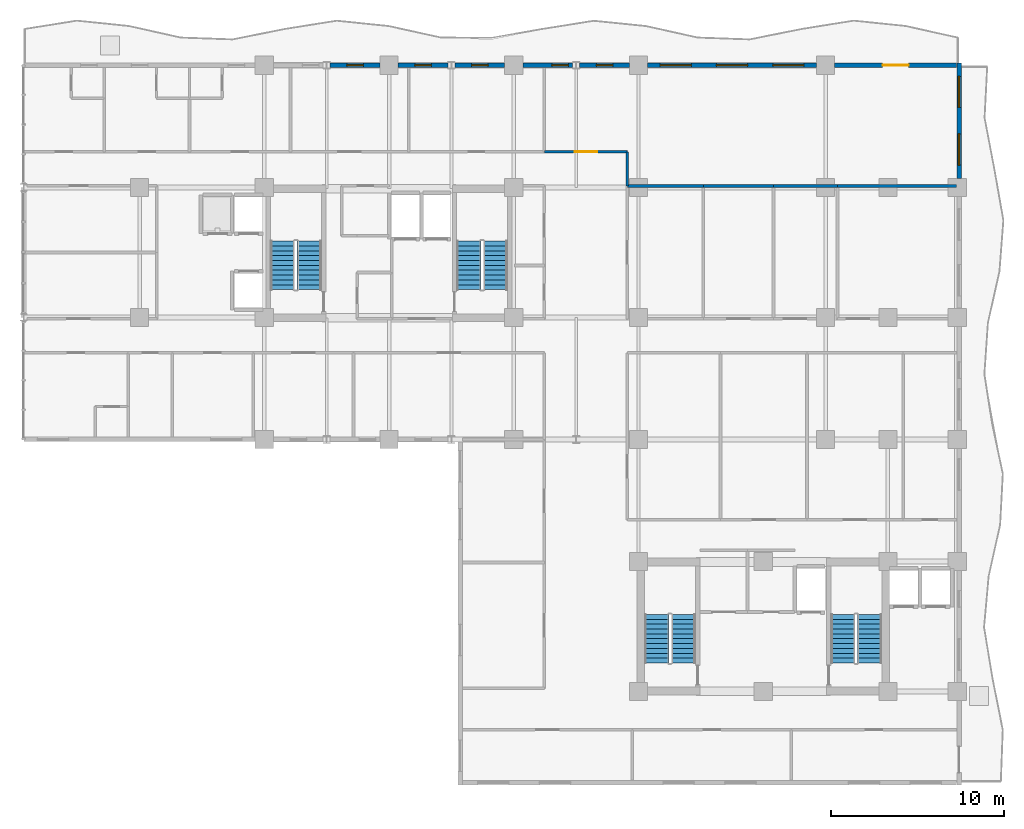
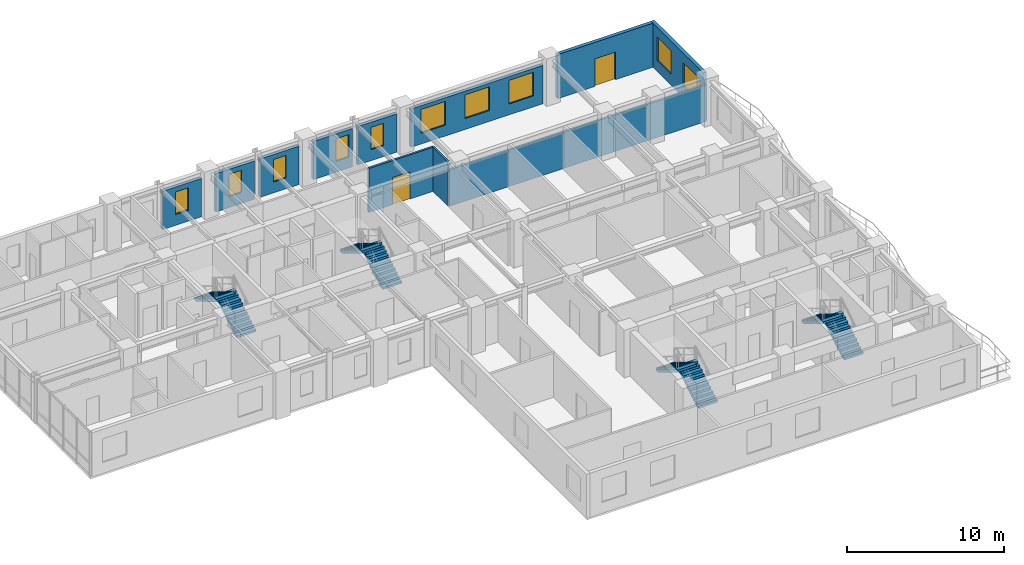
# One storey, part 15 of 20: 14 walls, 10 windows, 8 stair flights, 2 doors, 12 openings, 4 elements without a shape of their own.
"""IFC4 building model written with IfcOpenShell, lengths in metres."""

from ifc_helpers import new_model, si_unit, direction, frame, frame_2d, origin, place, context, subcontext, project, spatial, polyline, rectangle, outline, extrude, material, layer, layer_set, type_object, element, fill, aggregate, save


model = new_model("IFC4")

# Units and contexts
model_context = context("Model", 3, precision=1e-05, world=origin(), true_north=direction((0.0, 1.0)))
body_context = subcontext(model_context, "Body", "Model", "MODEL_VIEW")
ifc_project = project(units=[si_unit("LENGTHUNIT", "METRE"), si_unit("AREAUNIT", "SQUARE_METRE"), si_unit("VOLUMEUNIT", "CUBIC_METRE"), si_unit("PLANEANGLEUNIT", "RADIAN"), si_unit("MASSUNIT", "GRAM", prefix="KILO")], contexts=[model_context])

# Site, building, storey
site_placement = place(None, origin())
site = spatial("IfcSite", under=ifc_project, at=site_placement, CompositionType="ELEMENT")
building_placement = place(site_placement, origin())
building = spatial("IfcBuilding", under=site, at=building_placement, Name="Kaliganga Portal Commons", CompositionType="ELEMENT")
storey_placement = place(building_placement, frame((0.0, 0.0, 155.0)))
storey = spatial("IfcBuildingStorey", under=building, at=storey_placement, Name="L39", CompositionType="ELEMENT", Elevation=155.0)

# Wall, openings, windows
ifc_material_1 = material(Name="Insulated Aluminium-Clad Spandrel Assembly", Category="aluminium")
ifc_layer_1 = layer(ifc_material_1, 0.260009765625)
ifc_layer_set_1 = layer_set([ifc_layer_1], Name="Insulated Aluminium-Clad Spandrel Assembly")
wall_type_1 = type_object("IfcWallType", Name="WL-EXT-SPAND-260", PredefinedType="STANDARD", material=ifc_layer_set_1)
wall_1_placement = place(storey_placement, frame((54.5, 43.330078125, 0.0), z_axis=(0.0, 0.0, 1.0), x_axis=(0.0, -1.0, 0.0)))
wall_1 = element("IfcWall", 1, at=wall_1_placement, inside=storey, type_object=wall_type_1, Name="Exterior Envelope Wall L39 P1-E01-S6", PredefinedType="STANDARD", context=body_context, shape_type="SweptSolid", body=[
    extrude(rectangle(XDim=6.654052734375, YDim=0.260009765625, at=frame_2d((3.3271484375, 0.0))), origin(), (0.0, 0.0, 1.0), 3.43994140625),
])
opening_1_placement = place(wall_1_placement, frame((0.763427734375, 0.0, 0.85009765625)))
opening_1 = element("IfcOpeningElement", 2, at=opening_1_placement, cuts=wall_1, Name="Opening W-01", PredefinedType="OPENING", context=body_context, shape_type="SweptSolid", body=[
    extrude(rectangle(XDim=1.800048828125, YDim=1.85009765625, at=frame_2d((0.89990234375, 0.925048828125))), frame((0.0, 0.14013671875, 0.0), z_axis=(0.0, -1.0, 0.0), x_axis=(1.0, 0.0, 0.0)), (0.0, 0.0, 1.0), 0.280029296875),
])
opening_2_placement = place(wall_1_placement, frame((4.090576171875, 0.0, 0.85009765625)))
opening_2 = element("IfcOpeningElement", 3, at=opening_2_placement, cuts=wall_1, Name="Opening W-01", PredefinedType="OPENING", context=body_context, shape_type="SweptSolid", body=[
    extrude(rectangle(XDim=1.800048828125, YDim=1.85009765625, at=frame_2d((0.89990234375, 0.925048828125))), frame((0.0, 0.14013671875, 0.0), z_axis=(0.0, -1.0, 0.0), x_axis=(1.0, 0.0, 0.0)), (0.0, 0.0, 1.0), 0.280029296875),
])
ifc_material_2 = material(Name="Thermally Broken Aluminium and Low-E Double Glazing", Category="aluminium")
window_type_1 = type_object("IfcWindowType", Name="WIN-STD-1800", PartitioningType="DOUBLE_PANEL_VERTICAL", PredefinedType="WINDOW", material=ifc_material_2)
window_1_placement = place(opening_1_placement, origin())
window_1 = element("IfcWindow", 4, at=window_1_placement, inside=storey, type_object=window_type_1, Name="Facade Window L39-P1E01S6-00", OverallHeight=1.85009765625, OverallWidth=1.800048828125, PartitioningType="SINGLE_PANEL", PredefinedType="WINDOW", context=body_context, shape_type="SweptSolid", body=[
    extrude(rectangle(XDim=1.800048828125, YDim=1.85009765625, at=frame_2d((0.89990234375, 0.925048828125))), frame((0.0, 0.030029296875, 0.0), z_axis=(0.0, -1.0, 0.0), x_axis=(1.0, 0.0, 0.0)), (0.0, 0.0, 1.0), 0.06005859375),
])
fill(opening_1, window_1)
window_2_placement = place(opening_2_placement, origin())
window_2 = element("IfcWindow", 5, at=window_2_placement, inside=storey, type_object=window_type_1, Name="Facade Window L39-P1E01S6-01", OverallHeight=1.85009765625, OverallWidth=1.800048828125, PartitioningType="SINGLE_PANEL", PredefinedType="WINDOW", context=body_context, shape_type="SweptSolid", body=[
    extrude(rectangle(XDim=1.800048828125, YDim=1.85009765625, at=frame_2d((0.89990234375, 0.925048828125))), frame((0.0, 0.030029296875, 0.0), z_axis=(0.0, -1.0, 0.0), x_axis=(1.0, 0.0, 0.0)), (0.0, 0.0, 1.0), 0.06005859375),
])
fill(opening_2, window_2)

# Wall, opening, door
wall_2_placement = place(storey_placement, frame((47.325927734375, 43.199951171875, 0.0), z_axis=(0.0, 0.0, 1.0), x_axis=(1.0, 0.0, 0.0)))
wall_2 = element("IfcWall", 6, at=wall_2_placement, inside=storey, type_object=wall_type_1, Name="Exterior Envelope Wall L39 P1-E02-S1", PredefinedType="STANDARD", context=body_context, shape_type="SweptSolid", body=[
    extrude(rectangle(XDim=7.0390625, YDim=0.260009765625, at=frame_2d((3.51953125, 0.0))), origin(), (0.0, 0.0, 1.0), 3.43994140625),
])
opening_3_placement = place(wall_2_placement, frame((2.77001953125, 0.0, 0.0)))
opening_3 = element("IfcOpeningElement", 7, at=opening_3_placement, cuts=wall_2, Name="Opening BD-01", PredefinedType="OPENING", context=body_context, shape_type="SweptSolid", body=[
    extrude(rectangle(XDim=1.5, YDim=2.14990234375, at=frame_2d((0.75, 1.074951171875))), frame((0.0, 0.14013671875, 0.0), z_axis=(0.0, -1.0, 0.0), x_axis=(1.0, 0.0, 0.0)), (0.0, 0.0, 1.0), 0.280029296875),
])
ifc_material_3 = material(Name="Anodized Aluminium and Laminated Safety Glass", Category="aluminium")
door_type_1 = type_object("IfcDoorType", Name="DR-BALC-1500", OperationType="SLIDING_TO_LEFT", PredefinedType="DOOR", material=ifc_material_3)
door_1_placement = place(opening_3_placement, origin())
door_1 = element("IfcDoor", 8, at=door_1_placement, inside=storey, type_object=door_type_1, Name="Balcony Sliding Door L39 balc_north", OperationType="SLIDING_TO_LEFT", OverallHeight=2.14990234375, OverallWidth=1.5, PredefinedType="DOOR", context=body_context, shape_type="SweptSolid", body=[
    extrude(rectangle(XDim=1.5, YDim=2.14990234375, at=frame_2d((0.75, 1.074951171875))), frame((0.0, 0.02490234375, 0.0), z_axis=(0.0, -1.0, 0.0), x_axis=(1.0, 0.0, 0.0)), (0.0, 0.0, 1.0), 0.050048828125),
])
fill(opening_3, door_1)

# Wall, openings, windows
wall_3_placement = place(storey_placement, frame((36.52587890625, 43.199951171875, 0.0), z_axis=(0.0, 0.0, 1.0), x_axis=(1.0, 0.0, 0.0)))
wall_3 = element("IfcWall", 9, at=wall_3_placement, inside=storey, type_object=wall_type_1, Name="Exterior Envelope Wall L39 P1-E02-S2", PredefinedType="STANDARD", context=body_context, shape_type="SweptSolid", body=[
    extrude(rectangle(XDim=9.748046875, YDim=0.260009765625, at=frame_2d((4.8740234375, 0.0))), origin(), (0.0, 0.0, 1.0), 2.989990234375),
])
opening_4_placement = place(wall_3_placement, frame((0.724609375, 0.0, 0.85009765625)))
opening_4 = element("IfcOpeningElement", 10, at=opening_4_placement, cuts=wall_3, Name="Opening W-01", PredefinedType="OPENING", context=body_context, shape_type="SweptSolid", body=[
    extrude(rectangle(XDim=1.800048828125, YDim=1.85009765625, at=frame_2d((0.89990234375, 0.925048828125))), frame((0.0, 0.14013671875, 0.0), z_axis=(0.0, -1.0, 0.0), x_axis=(1.0, 0.0, 0.0)), (0.0, 0.0, 1.0), 0.280029296875),
])
opening_5_placement = place(wall_3_placement, frame((3.97412109375, 0.0, 0.85009765625)))
opening_5 = element("IfcOpeningElement", 11, at=opening_5_placement, cuts=wall_3, Name="Opening W-01", PredefinedType="OPENING", context=body_context, shape_type="SweptSolid", body=[
    extrude(rectangle(XDim=1.800048828125, YDim=1.85009765625, at=frame_2d((0.89990234375, 0.925048828125))), frame((0.0, 0.14013671875, 0.0), z_axis=(0.0, -1.0, 0.0), x_axis=(1.0, 0.0, 0.0)), (0.0, 0.0, 1.0), 0.280029296875),
])
opening_6_placement = place(wall_3_placement, frame((7.223388671875, 0.0, 0.85009765625)))
opening_6 = element("IfcOpeningElement", 12, at=opening_6_placement, cuts=wall_3, Name="Opening W-01", PredefinedType="OPENING", context=body_context, shape_type="SweptSolid", body=[
    extrude(rectangle(XDim=1.800048828125, YDim=1.85009765625, at=frame_2d((0.89990234375, 0.925048828125))), frame((0.0, 0.14013671875, 0.0), z_axis=(0.0, -1.0, 0.0), x_axis=(1.0, 0.0, 0.0)), (0.0, 0.0, 1.0), 0.280029296875),
])
window_3_placement = place(opening_4_placement, origin())
window_3 = element("IfcWindow", 13, at=window_3_placement, inside=storey, type_object=window_type_1, Name="Facade Window L39-P1E02S2-00", OverallHeight=1.85009765625, OverallWidth=1.800048828125, PartitioningType="SINGLE_PANEL", PredefinedType="WINDOW", context=body_context, shape_type="SweptSolid", body=[
    extrude(rectangle(XDim=1.800048828125, YDim=1.85009765625, at=frame_2d((0.89990234375, 0.925048828125))), frame((0.0, 0.030029296875, 0.0), z_axis=(0.0, -1.0, 0.0), x_axis=(1.0, 0.0, 0.0)), (0.0, 0.0, 1.0), 0.06005859375),
])
fill(opening_4, window_3)
window_4_placement = place(opening_5_placement, origin())
window_4 = element("IfcWindow", 14, at=window_4_placement, inside=storey, type_object=window_type_1, Name="Facade Window L39-P1E02S2-01", OverallHeight=1.85009765625, OverallWidth=1.800048828125, PartitioningType="SINGLE_PANEL", PredefinedType="WINDOW", context=body_context, shape_type="SweptSolid", body=[
    extrude(rectangle(XDim=1.800048828125, YDim=1.85009765625, at=frame_2d((0.89990234375, 0.925048828125))), frame((0.0, 0.030029296875, 0.0), z_axis=(0.0, -1.0, 0.0), x_axis=(1.0, 0.0, 0.0)), (0.0, 0.0, 1.0), 0.06005859375),
])
fill(opening_5, window_4)
window_5_placement = place(opening_6_placement, origin())
window_5 = element("IfcWindow", 15, at=window_5_placement, inside=storey, type_object=window_type_1, Name="Facade Window L39-P1E02S2-02", OverallHeight=1.85009765625, OverallWidth=1.800048828125, PartitioningType="SINGLE_PANEL", PredefinedType="WINDOW", context=body_context, shape_type="SweptSolid", body=[
    extrude(rectangle(XDim=1.800048828125, YDim=1.85009765625, at=frame_2d((0.89990234375, 0.925048828125))), frame((0.0, 0.030029296875, 0.0), z_axis=(0.0, -1.0, 0.0), x_axis=(1.0, 0.0, 0.0)), (0.0, 0.0, 1.0), 0.06005859375),
])
fill(opening_6, window_5)

# Wall, opening, window
wall_4_placement = place(storey_placement, frame((32.60302734375, 43.199951171875, 0.0), z_axis=(0.0, 0.0, 1.0), x_axis=(1.0, 0.0, 0.0)))
wall_4 = element("IfcWall", 16, at=wall_4_placement, inside=storey, type_object=wall_type_1, Name="Exterior Envelope Wall L39 P1-E02-S3", PredefinedType="STANDARD", context=body_context, shape_type="SweptSolid", body=[
    extrude(rectangle(XDim=2.87109375, YDim=0.260009765625, at=frame_2d((1.435546875, 0.0))), origin(), (0.0, 0.0, 1.0), 2.989990234375),
])
opening_7_placement = place(wall_4_placement, frame((0.96044921875, 0.0, 0.85009765625)))
opening_7 = element("IfcOpeningElement", 17, at=opening_7_placement, cuts=wall_4, Name="Opening W-04", PredefinedType="OPENING", context=body_context, shape_type="SweptSolid", body=[
    extrude(rectangle(XDim=0.949951171875, YDim=1.75, at=frame_2d((0.47509765625, 0.875))), frame((0.0, 0.14013671875, 0.0), z_axis=(0.0, -1.0, 0.0), x_axis=(1.0, 0.0, 0.0)), (0.0, 0.0, 1.0), 0.280029296875),
])
window_type_2 = type_object("IfcWindowType", Name="WIN-NARROW-950", PartitioningType="SINGLE_PANEL", PredefinedType="WINDOW", material=ifc_material_2)
window_6_placement = place(opening_7_placement, origin())
window_6 = element("IfcWindow", 18, at=window_6_placement, inside=storey, type_object=window_type_2, Name="Facade Window L39-P1E02S3-00", OverallHeight=1.75, OverallWidth=0.949951171875, PartitioningType="SINGLE_PANEL", PredefinedType="WINDOW", context=body_context, shape_type="SweptSolid", body=[
    extrude(rectangle(XDim=0.949951171875, YDim=1.75, at=frame_2d((0.47509765625, 0.875))), frame((0.0, 0.030029296875, 0.0), z_axis=(0.0, -1.0, 0.0), x_axis=(1.0, 0.0, 0.0)), (0.0, 0.0, 1.0), 0.06005859375),
])
fill(opening_7, window_6)

wall_5_placement = place(storey_placement, frame((29.325927734375, 43.199951171875, 0.0), z_axis=(0.0, 0.0, 1.0), x_axis=(1.0, 0.0, 0.0)))
wall_5 = element("IfcWall", 19, at=wall_5_placement, inside=storey, type_object=wall_type_1, Name="Exterior Envelope Wall L39 P1-E02-S4", PredefinedType="STANDARD", context=body_context, shape_type="SweptSolid", body=[
    extrude(rectangle(XDim=2.87109375, YDim=0.260009765625, at=frame_2d((1.435546875, 0.0))), origin(), (0.0, 0.0, 1.0), 2.989990234375),
])
opening_8_placement = place(wall_5_placement, frame((1.672607421875, 0.0, 0.85009765625)))
opening_8 = element("IfcOpeningElement", 20, at=opening_8_placement, cuts=wall_5, Name="Opening W-04", PredefinedType="OPENING", context=body_context, shape_type="SweptSolid", body=[
    extrude(rectangle(XDim=0.949951171875, YDim=1.75, at=frame_2d((0.47509765625, 0.875))), frame((0.0, 0.14013671875, 0.0), z_axis=(0.0, -1.0, 0.0), x_axis=(1.0, 0.0, 0.0)), (0.0, 0.0, 1.0), 0.280029296875),
])
window_7_placement = place(opening_8_placement, origin())
window_7 = element("IfcWindow", 21, at=window_7_placement, inside=storey, type_object=window_type_2, Name="Facade Window L39-P1E02S4-N2", OverallHeight=1.75, OverallWidth=0.949951171875, PartitioningType="SINGLE_PANEL", PredefinedType="WINDOW", context=body_context, shape_type="SweptSolid", body=[
    extrude(rectangle(XDim=0.949951171875, YDim=1.75, at=frame_2d((0.47509765625, 0.875))), frame((0.0, 0.030029296875, 0.0), z_axis=(0.0, -1.0, 0.0), x_axis=(1.0, 0.0, 0.0)), (0.0, 0.0, 1.0), 0.06005859375),
])
fill(opening_8, window_7)

wall_6_placement = place(storey_placement, frame((25.403076171875, 43.199951171875, 0.0), z_axis=(0.0, 0.0, 1.0), x_axis=(1.0, 0.0, 0.0)))
wall_6 = element("IfcWall", 22, at=wall_6_placement, inside=storey, type_object=wall_type_1, Name="Exterior Envelope Wall L39 P1-E02-S5", PredefinedType="STANDARD", context=body_context, shape_type="SweptSolid", body=[
    extrude(rectangle(XDim=2.870849609375, YDim=0.260009765625, at=frame_2d((1.435546875, 0.0))), origin(), (0.0, 0.0, 1.0), 2.989990234375),
])
opening_9_placement = place(wall_6_placement, frame((0.96044921875, 0.0, 0.85009765625)))
opening_9 = element("IfcOpeningElement", 23, at=opening_9_placement, cuts=wall_6, Name="Opening W-04", PredefinedType="OPENING", context=body_context, shape_type="SweptSolid", body=[
    extrude(rectangle(XDim=0.949951171875, YDim=1.75, at=frame_2d((0.47509765625, 0.875))), frame((0.0, 0.14013671875, 0.0), z_axis=(0.0, -1.0, 0.0), x_axis=(1.0, 0.0, 0.0)), (0.0, 0.0, 1.0), 0.280029296875),
])
window_8_placement = place(opening_9_placement, origin())
window_8 = element("IfcWindow", 24, at=window_8_placement, inside=storey, type_object=window_type_2, Name="Facade Window L39-P1E02S5-00", OverallHeight=1.75, OverallWidth=0.949951171875, PartitioningType="SINGLE_PANEL", PredefinedType="WINDOW", context=body_context, shape_type="SweptSolid", body=[
    extrude(rectangle(XDim=0.949951171875, YDim=1.75, at=frame_2d((0.47509765625, 0.875))), frame((0.0, 0.030029296875, 0.0), z_axis=(0.0, -1.0, 0.0), x_axis=(1.0, 0.0, 0.0)), (0.0, 0.0, 1.0), 0.06005859375),
])
fill(opening_9, window_8)

wall_7_placement = place(storey_placement, frame((22.1259765625, 43.199951171875, 0.0), z_axis=(0.0, 0.0, 1.0), x_axis=(1.0, 0.0, 0.0)))
wall_7 = element("IfcWall", 25, at=wall_7_placement, inside=storey, type_object=wall_type_1, Name="Exterior Envelope Wall L39 P1-E02-S6", PredefinedType="STANDARD", context=body_context, shape_type="SweptSolid", body=[
    extrude(rectangle(XDim=2.87109375, YDim=0.260009765625, at=frame_2d((1.435546875, 0.0))), origin(), (0.0, 0.0, 1.0), 2.989990234375),
])
opening_10_placement = place(wall_7_placement, frame((0.96044921875, 0.0, 0.85009765625)))
opening_10 = element("IfcOpeningElement", 26, at=opening_10_placement, cuts=wall_7, Name="Opening W-04", PredefinedType="OPENING", context=body_context, shape_type="SweptSolid", body=[
    extrude(rectangle(XDim=0.949951171875, YDim=1.75, at=frame_2d((0.47509765625, 0.875))), frame((0.0, 0.14013671875, 0.0), z_axis=(0.0, -1.0, 0.0), x_axis=(1.0, 0.0, 0.0)), (0.0, 0.0, 1.0), 0.280029296875),
])
window_9_placement = place(opening_10_placement, origin())
window_9 = element("IfcWindow", 27, at=window_9_placement, inside=storey, type_object=window_type_2, Name="Facade Window L39-P1E02S6-00", OverallHeight=1.75, OverallWidth=0.949951171875, PartitioningType="SINGLE_PANEL", PredefinedType="WINDOW", context=body_context, shape_type="SweptSolid", body=[
    extrude(rectangle(XDim=0.949951171875, YDim=1.75, at=frame_2d((0.47509765625, 0.875))), frame((0.0, 0.030029296875, 0.0), z_axis=(0.0, -1.0, 0.0), x_axis=(1.0, 0.0, 0.0)), (0.0, 0.0, 1.0), 0.06005859375),
])
fill(opening_10, window_9)

wall_8_placement = place(storey_placement, frame((18.202880859375, 43.199951171875, 0.0), z_axis=(0.0, 0.0, 1.0), x_axis=(1.0, 0.0, 0.0)))
wall_8 = element("IfcWall", 28, at=wall_8_placement, inside=storey, type_object=wall_type_1, Name="Exterior Envelope Wall L39 P1-E02-S7", PredefinedType="STANDARD", context=body_context, shape_type="SweptSolid", body=[
    extrude(rectangle(XDim=2.87109375, YDim=0.260009765625, at=frame_2d((1.435546875, 0.0))), origin(), (0.0, 0.0, 1.0), 2.989990234375),
])
opening_11_placement = place(wall_8_placement, frame((0.96044921875, 0.0, 0.85009765625)))
opening_11 = element("IfcOpeningElement", 29, at=opening_11_placement, cuts=wall_8, Name="Opening W-04", PredefinedType="OPENING", context=body_context, shape_type="SweptSolid", body=[
    extrude(rectangle(XDim=0.949951171875, YDim=1.75, at=frame_2d((0.47509765625, 0.875))), frame((0.0, 0.14013671875, 0.0), z_axis=(0.0, -1.0, 0.0), x_axis=(1.0, 0.0, 0.0)), (0.0, 0.0, 1.0), 0.280029296875),
])
window_10_placement = place(opening_11_placement, origin())
window_10 = element("IfcWindow", 30, at=window_10_placement, inside=storey, type_object=window_type_2, Name="Facade Window L39-P1E02S7-00", OverallHeight=1.75, OverallWidth=0.949951171875, PartitioningType="SINGLE_PANEL", PredefinedType="WINDOW", context=body_context, shape_type="SweptSolid", body=[
    extrude(rectangle(XDim=0.949951171875, YDim=1.75, at=frame_2d((0.47509765625, 0.875))), frame((0.0, 0.030029296875, 0.0), z_axis=(0.0, -1.0, 0.0), x_axis=(1.0, 0.0, 0.0)), (0.0, 0.0, 1.0), 0.06005859375),
])
fill(opening_11, window_10)

# Wall, opening, door
ifc_material_4 = material(Name="Fire-Rated Gypsum Board on Steel Stud", Category="steel")
ifc_layer_2 = layer(ifc_material_4, 0.14990234375)
ifc_layer_set_2 = layer_set([ifc_layer_2], Name="Fire-Rated Gypsum Board on Steel Stud")
wall_type_2 = type_object("IfcWallType", Name="WL-PART-CORR-150", PredefinedType="PARTITIONING", material=ifc_layer_set_2)
wall_9_placement = place(storey_placement, frame((30.56005859375, 38.199951171875, 0.0), z_axis=(0.0, 0.0, 1.0), x_axis=(1.0, 0.0, 0.0)))
wall_9 = element("IfcWall", 31, at=wall_9_placement, inside=storey, type_object=wall_type_2, Name="Interior Partition L39-040", PredefinedType="PARTITIONING", context=body_context, shape_type="SweptSolid", body=[
    extrude(rectangle(XDim=4.800048828125, YDim=0.14990234375, at=frame_2d((2.39990234375, 0.0))), origin(), (0.0, 0.0, 1.0), 3.43994140625),
])
opening_12_placement = place(wall_9_placement, frame((1.75, 0.0, 0.0)))
opening_12 = element("IfcOpeningElement", 32, at=opening_12_placement, cuts=wall_9, Name="Opening RD-03", PredefinedType="OPENING", context=body_context, shape_type="SweptSolid", body=[
    extrude(rectangle(XDim=1.300048828125, YDim=2.1201171875, at=frame_2d((0.64990234375, 1.06005859375))), frame((0.0, 0.0849609375, 0.0), z_axis=(0.0, -1.0, 0.0), x_axis=(1.0, 0.0, 0.0)), (0.0, 0.0, 1.0), 0.169921875),
])
ifc_material_5 = material(Name="Glazed Timber Seminar Vision Door", Category="wood")
door_type_2 = type_object("IfcDoorType", Name="DR-STUDY-1300", OperationType="DOUBLE_DOOR_SINGLE_SWING", PredefinedType="DOOR", material=ifc_material_5)
door_2_placement = place(opening_12_placement, origin())
door_2 = element("IfcDoor", 33, at=door_2_placement, inside=storey, type_object=door_type_2, Name="Interior Door L39-ANE01", OperationType="DOUBLE_DOOR_SINGLE_SWING", OverallHeight=2.1201171875, OverallWidth=1.300048828125, PredefinedType="DOOR", context=body_context, shape_type="SweptSolid", body=[
    extrude(rectangle(XDim=1.300048828125, YDim=2.1201171875, at=frame_2d((0.64990234375, 1.06005859375))), frame((0.0, 0.02490234375, 0.0), z_axis=(0.0, -1.0, 0.0), x_axis=(1.0, 0.0, 0.0)), (0.0, 0.0, 1.0), 0.050048828125),
])
fill(opening_12, door_2)

# Walls
wall_10_placement = place(storey_placement, frame((35.360107421875, 36.239990234375, 0.0), z_axis=(0.0, 0.0, 1.0), x_axis=(0.0, 1.0, 0.0)))
element("IfcWall", 34, at=wall_10_placement, inside=storey, type_object=wall_type_2, Name="Interior Partition L39-063", PredefinedType="PARTITIONING", context=body_context, shape_type="SweptSolid", body=[
    extrude(rectangle(XDim=1.9599609375, YDim=0.14990234375, at=frame_2d((0.97998046875, 0.0))), origin(), (0.0, 0.0, 1.0), 3.43994140625),
])
ifc_material_6 = material(Name="Twin-Stud Acoustic Gypsum Partition", Category="gypsum")
ifc_layer_3 = layer(ifc_material_6, 0.1650390625)
ifc_layer_set_3 = layer_set([ifc_layer_3], Name="Twin-Stud Acoustic Gypsum Partition")
wall_type_3 = type_object("IfcWallType", Name="WL-PART-UNIT-165", PredefinedType="PARTITIONING", material=ifc_layer_set_3)
wall_11_placement = place(storey_placement, frame((47.47998046875, 36.239990234375, 0.0), z_axis=(0.0, 0.0, 1.0), x_axis=(1.0, 0.0, 0.0)))
element("IfcWall", 35, at=wall_11_placement, inside=storey, type_object=wall_type_3, Name="Interior Partition L39-075", PredefinedType="PARTITIONING", context=body_context, shape_type="SweptSolid", body=[
    extrude(rectangle(XDim=6.887939453125, YDim=0.1650390625, at=frame_2d((3.44384765625, 0.0))), origin(), (0.0, 0.0, 1.0), 2.840087890625),
])
wall_12_placement = place(storey_placement, frame((35.360107421875, 36.239990234375, 0.0), z_axis=(0.0, 0.0, 1.0), x_axis=(1.0, 0.0, 0.0)))
element("IfcWall", 36, at=wall_12_placement, inside=storey, type_object=wall_type_3, Name="Interior Partition L39-084", PredefinedType="PARTITIONING", context=body_context, shape_type="SweptSolid", body=[
    extrude(rectangle(XDim=4.3798828125, YDim=0.1650390625, at=frame_2d((2.18994140625, 0.0))), origin(), (0.0, 0.0, 1.0), 2.840087890625),
])
wall_13_placement = place(storey_placement, frame((39.739990234375, 36.239990234375, 0.0), z_axis=(0.0, 0.0, 1.0), x_axis=(1.0, 0.0, 0.0)))
element("IfcWall", 37, at=wall_13_placement, inside=storey, type_object=wall_type_3, Name="Interior Partition L39-085", PredefinedType="PARTITIONING", context=body_context, shape_type="SweptSolid", body=[
    extrude(rectangle(XDim=4.06005859375, YDim=0.1650390625, at=frame_2d((2.030029296875, 0.0))), origin(), (0.0, 0.0, 1.0), 2.840087890625),
])
wall_14_placement = place(storey_placement, frame((43.800048828125, 36.239990234375, 0.0), z_axis=(0.0, 0.0, 1.0), x_axis=(1.0, 0.0, 0.0)))
element("IfcWall", 38, at=wall_14_placement, inside=storey, type_object=wall_type_3, Name="Interior Partition L39-086", PredefinedType="PARTITIONING", context=body_context, shape_type="SweptSolid", body=[
    extrude(rectangle(XDim=3.679931640625, YDim=0.1650390625, at=frame_2d((1.83984375, 0.0))), origin(), (0.0, 0.0, 1.0), 2.840087890625),
])

# Stair, stair flights
ifc_material_7 = material(Name="Concrete C40/50", Category="concrete")
stair_type = type_object("IfcStairType", Name="ST-CORE-DOGLEG", PredefinedType="HALF_TURN_STAIR", material=ifc_material_7)
stair_1_placement = place(storey_placement, origin())
stair_1 = element("IfcStair", 39, at=stair_1_placement, inside=storey, type_object=stair_type, Name="L39 Protected Exit Stair ST-A1", PredefinedType="HALF_TURN_STAIR")
stair_flight_type = type_object("IfcStairFlightType", Name="STF-RC-1400", PredefinedType="STRAIGHT", material=ifc_material_7)
stair_flight_1_placement = place(storey_placement, frame((17.0, 30.25, 0.0), z_axis=(0.0, 0.0, 1.0), x_axis=(0.0, 1.0, 0.0)))
stair_flight_1 = element("IfcStairFlight", 40, at=stair_flight_1_placement, type_object=stair_flight_type, Name="ST-A1 flight 1", NumberOfRisers=11, NumberOfTreads=10, PredefinedType="STRAIGHT", RiserHeight=0.168181818, TreadLength=0.28, context=body_context, shape_type="SweptSolid", body=[
    extrude(outline(polyline([(0.0, 0.0), (0.0, 0.168212890625), (0.280029296875, 0.168212890625), (0.280029296875, 0.33642578125), (0.56005859375, 0.33642578125), (0.56005859375, 0.504638671875), (0.840087890625, 0.504638671875), (0.840087890625, 0.672607421875), (1.1201171875, 0.672607421875), (1.1201171875, 0.8408203125), (1.39990234375, 0.8408203125), (1.39990234375, 1.009033203125), (1.679931640625, 1.009033203125), (1.679931640625, 1.17724609375), (1.9599609375, 1.17724609375), (1.9599609375, 1.345458984375), (2.239990234375, 1.345458984375), (2.239990234375, 1.513671875), (2.52001953125, 1.513671875), (2.52001953125, 1.681884765625), (2.800048828125, 1.681884765625), (2.800048828125, 1.85009765625), (2.800048828125, 1.5068359375), (0.291015625, 0.0), (0.0, 0.0)])), frame((0.0, 0.699951171875, 0.0), z_axis=(0.0, -1.0, 0.0), x_axis=(1.0, 0.0, 0.0)), (0.0, 0.0, 1.0), 1.39990234375),
])
stair_flight_2_placement = place(storey_placement, frame((15.449951171875, 33.050048828125, 1.85009765625), z_axis=(0.0, 0.0, 1.0), x_axis=(0.0, -1.0, 0.0)))
stair_flight_2 = element("IfcStairFlight", 41, at=stair_flight_2_placement, type_object=stair_flight_type, Name="ST-A1 flight 2", NumberOfRisers=11, NumberOfTreads=10, PredefinedType="STRAIGHT", RiserHeight=0.168181818, TreadLength=0.28, context=body_context, shape_type="SweptSolid", body=[
    extrude(outline(polyline([(0.0, 0.0), (0.0, 0.168212890625), (0.280029296875, 0.168212890625), (0.280029296875, 0.33642578125), (0.56005859375, 0.33642578125), (0.56005859375, 0.504638671875), (0.840087890625, 0.504638671875), (0.840087890625, 0.672607421875), (1.1201171875, 0.672607421875), (1.1201171875, 0.8408203125), (1.39990234375, 0.8408203125), (1.39990234375, 1.009033203125), (1.679931640625, 1.009033203125), (1.679931640625, 1.17724609375), (1.9599609375, 1.17724609375), (1.9599609375, 1.345458984375), (2.239990234375, 1.345458984375), (2.239990234375, 1.513671875), (2.52001953125, 1.513671875), (2.52001953125, 1.681884765625), (2.800048828125, 1.681884765625), (2.800048828125, 1.85009765625), (2.800048828125, 1.5068359375), (0.291015625, 0.0), (0.0, 0.0)])), frame((0.0, 0.699951171875, 0.0), z_axis=(0.0, -1.0, 0.0), x_axis=(1.0, 0.0, 0.0)), (0.0, 0.0, 1.0), 1.39990234375),
])
aggregate(stair_1, [stair_flight_1, stair_flight_2])

stair_2_placement = place(storey_placement, origin())
stair_2 = element("IfcStair", 42, at=stair_2_placement, inside=storey, type_object=stair_type, Name="L39 Protected Exit Stair ST-A2", PredefinedType="HALF_TURN_STAIR")
stair_flight_3_placement = place(storey_placement, frame((27.75, 30.25, 0.0), z_axis=(0.0, 0.0, 1.0), x_axis=(0.0, 1.0, 0.0)))
stair_flight_3 = element("IfcStairFlight", 43, at=stair_flight_3_placement, type_object=stair_flight_type, Name="ST-A2 flight 1", NumberOfRisers=11, NumberOfTreads=10, PredefinedType="STRAIGHT", RiserHeight=0.168181818, TreadLength=0.28, context=body_context, shape_type="SweptSolid", body=[
    extrude(outline(polyline([(0.0, 0.0), (0.0, 0.168212890625), (0.280029296875, 0.168212890625), (0.280029296875, 0.33642578125), (0.56005859375, 0.33642578125), (0.56005859375, 0.504638671875), (0.840087890625, 0.504638671875), (0.840087890625, 0.672607421875), (1.1201171875, 0.672607421875), (1.1201171875, 0.8408203125), (1.39990234375, 0.8408203125), (1.39990234375, 1.009033203125), (1.679931640625, 1.009033203125), (1.679931640625, 1.17724609375), (1.9599609375, 1.17724609375), (1.9599609375, 1.345458984375), (2.239990234375, 1.345458984375), (2.239990234375, 1.513671875), (2.52001953125, 1.513671875), (2.52001953125, 1.681884765625), (2.800048828125, 1.681884765625), (2.800048828125, 1.85009765625), (2.800048828125, 1.5068359375), (0.291015625, 0.0), (0.0, 0.0)])), frame((0.0, 0.699951171875, 0.0), z_axis=(0.0, -1.0, 0.0), x_axis=(1.0, 0.0, 0.0)), (0.0, 0.0, 1.0), 1.39990234375),
])
stair_flight_4_placement = place(storey_placement, frame((26.199951171875, 33.050048828125, 1.85009765625), z_axis=(0.0, 0.0, 1.0), x_axis=(0.0, -1.0, 0.0)))
stair_flight_4 = element("IfcStairFlight", 44, at=stair_flight_4_placement, type_object=stair_flight_type, Name="ST-A2 flight 2", NumberOfRisers=11, NumberOfTreads=10, PredefinedType="STRAIGHT", RiserHeight=0.168181818, TreadLength=0.28, context=body_context, shape_type="SweptSolid", body=[
    extrude(outline(polyline([(0.0, 0.0), (0.0, 0.168212890625), (0.280029296875, 0.168212890625), (0.280029296875, 0.33642578125), (0.56005859375, 0.33642578125), (0.56005859375, 0.504638671875), (0.840087890625, 0.504638671875), (0.840087890625, 0.672607421875), (1.1201171875, 0.672607421875), (1.1201171875, 0.8408203125), (1.39990234375, 0.8408203125), (1.39990234375, 1.009033203125), (1.679931640625, 1.009033203125), (1.679931640625, 1.17724609375), (1.9599609375, 1.17724609375), (1.9599609375, 1.345458984375), (2.239990234375, 1.345458984375), (2.239990234375, 1.513671875), (2.52001953125, 1.513671875), (2.52001953125, 1.681884765625), (2.800048828125, 1.681884765625), (2.800048828125, 1.85009765625), (2.800048828125, 1.5068359375), (0.291015625, 0.0), (0.0, 0.0)])), frame((0.0, 0.699951171875, 0.0), z_axis=(0.0, -1.0, 0.0), x_axis=(1.0, 0.0, 0.0)), (0.0, 0.0, 1.0), 1.39990234375),
])
aggregate(stair_2, [stair_flight_3, stair_flight_4])

stair_3_placement = place(storey_placement, origin())
stair_3 = element("IfcStair", 45, at=stair_3_placement, inside=storey, type_object=stair_type, Name="L39 Protected Exit Stair ST-B1", PredefinedType="HALF_TURN_STAIR")
stair_flight_5_placement = place(storey_placement, frame((38.60009765625, 8.699951171875, 0.0), z_axis=(0.0, 0.0, 1.0), x_axis=(0.0, 1.0, 0.0)))
stair_flight_5 = element("IfcStairFlight", 46, at=stair_flight_5_placement, type_object=stair_flight_type, Name="ST-B1 flight 1", NumberOfRisers=11, NumberOfTreads=10, PredefinedType="STRAIGHT", RiserHeight=0.168181818, TreadLength=0.28, context=body_context, shape_type="SweptSolid", body=[
    extrude(outline(polyline([(0.0, 0.0), (0.0, 0.168212890625), (0.280029296875, 0.168212890625), (0.280029296875, 0.33642578125), (0.56005859375, 0.33642578125), (0.56005859375, 0.504638671875), (0.840087890625, 0.504638671875), (0.840087890625, 0.672607421875), (1.1201171875, 0.672607421875), (1.1201171875, 0.8408203125), (1.39990234375, 0.8408203125), (1.39990234375, 1.009033203125), (1.679931640625, 1.009033203125), (1.679931640625, 1.17724609375), (1.9599609375, 1.17724609375), (1.9599609375, 1.345458984375), (2.239990234375, 1.345458984375), (2.239990234375, 1.513671875), (2.52001953125, 1.513671875), (2.52001953125, 1.681884765625), (2.800048828125, 1.681884765625), (2.800048828125, 1.85009765625), (2.800048828125, 1.5068359375), (0.291015625, 0.0), (0.0, 0.0)])), frame((0.0, 0.699951171875, 0.0), z_axis=(0.0, -1.0, 0.0), x_axis=(1.0, 0.0, 0.0)), (0.0, 0.0, 1.0), 1.39990234375),
])
stair_flight_6_placement = place(storey_placement, frame((37.050048828125, 11.5, 1.85009765625), z_axis=(0.0, 0.0, 1.0), x_axis=(0.0, -1.0, 0.0)))
stair_flight_6 = element("IfcStairFlight", 47, at=stair_flight_6_placement, type_object=stair_flight_type, Name="ST-B1 flight 2", NumberOfRisers=11, NumberOfTreads=10, PredefinedType="STRAIGHT", RiserHeight=0.168181818, TreadLength=0.28, context=body_context, shape_type="SweptSolid", body=[
    extrude(outline(polyline([(0.0, 0.0), (0.0, 0.168212890625), (0.280029296875, 0.168212890625), (0.280029296875, 0.33642578125), (0.56005859375, 0.33642578125), (0.56005859375, 0.504638671875), (0.840087890625, 0.504638671875), (0.840087890625, 0.672607421875), (1.1201171875, 0.672607421875), (1.1201171875, 0.8408203125), (1.39990234375, 0.8408203125), (1.39990234375, 1.009033203125), (1.679931640625, 1.009033203125), (1.679931640625, 1.17724609375), (1.9599609375, 1.17724609375), (1.9599609375, 1.345458984375), (2.239990234375, 1.345458984375), (2.239990234375, 1.513671875), (2.52001953125, 1.513671875), (2.52001953125, 1.681884765625), (2.800048828125, 1.681884765625), (2.800048828125, 1.85009765625), (2.800048828125, 1.5068359375), (0.291015625, 0.0), (0.0, 0.0)])), frame((0.0, 0.699951171875, 0.0), z_axis=(0.0, -1.0, 0.0), x_axis=(1.0, 0.0, 0.0)), (0.0, 0.0, 1.0), 1.39990234375),
])
aggregate(stair_3, [stair_flight_5, stair_flight_6])

stair_4_placement = place(storey_placement, origin())
stair_4 = element("IfcStair", 48, at=stair_4_placement, inside=storey, type_object=stair_type, Name="L39 Protected Exit Stair ST-B2", PredefinedType="HALF_TURN_STAIR")
stair_flight_7_placement = place(storey_placement, frame((49.35009765625, 8.699951171875, 0.0), z_axis=(0.0, 0.0, 1.0), x_axis=(0.0, 1.0, 0.0)))
stair_flight_7 = element("IfcStairFlight", 49, at=stair_flight_7_placement, type_object=stair_flight_type, Name="ST-B2 flight 1", NumberOfRisers=11, NumberOfTreads=10, PredefinedType="STRAIGHT", RiserHeight=0.168181818, TreadLength=0.28, context=body_context, shape_type="SweptSolid", body=[
    extrude(outline(polyline([(0.0, 0.0), (0.0, 0.168212890625), (0.280029296875, 0.168212890625), (0.280029296875, 0.33642578125), (0.56005859375, 0.33642578125), (0.56005859375, 0.504638671875), (0.840087890625, 0.504638671875), (0.840087890625, 0.672607421875), (1.1201171875, 0.672607421875), (1.1201171875, 0.8408203125), (1.39990234375, 0.8408203125), (1.39990234375, 1.009033203125), (1.679931640625, 1.009033203125), (1.679931640625, 1.17724609375), (1.9599609375, 1.17724609375), (1.9599609375, 1.345458984375), (2.239990234375, 1.345458984375), (2.239990234375, 1.513671875), (2.52001953125, 1.513671875), (2.52001953125, 1.681884765625), (2.800048828125, 1.681884765625), (2.800048828125, 1.85009765625), (2.800048828125, 1.5068359375), (0.291015625, 0.0), (0.0, 0.0)])), frame((0.0, 0.699951171875, 0.0), z_axis=(0.0, -1.0, 0.0), x_axis=(1.0, 0.0, 0.0)), (0.0, 0.0, 1.0), 1.39990234375),
])
stair_flight_8_placement = place(storey_placement, frame((47.800048828125, 11.5, 1.85009765625), z_axis=(0.0, 0.0, 1.0), x_axis=(0.0, -1.0, 0.0)))
stair_flight_8 = element("IfcStairFlight", 50, at=stair_flight_8_placement, type_object=stair_flight_type, Name="ST-B2 flight 2", NumberOfRisers=11, NumberOfTreads=10, PredefinedType="STRAIGHT", RiserHeight=0.168181818, TreadLength=0.28, context=body_context, shape_type="SweptSolid", body=[
    extrude(outline(polyline([(0.0, 0.0), (0.0, 0.168212890625), (0.280029296875, 0.168212890625), (0.280029296875, 0.33642578125), (0.56005859375, 0.33642578125), (0.56005859375, 0.504638671875), (0.840087890625, 0.504638671875), (0.840087890625, 0.672607421875), (1.1201171875, 0.672607421875), (1.1201171875, 0.8408203125), (1.39990234375, 0.8408203125), (1.39990234375, 1.009033203125), (1.679931640625, 1.009033203125), (1.679931640625, 1.17724609375), (1.9599609375, 1.17724609375), (1.9599609375, 1.345458984375), (2.239990234375, 1.345458984375), (2.239990234375, 1.513671875), (2.52001953125, 1.513671875), (2.52001953125, 1.681884765625), (2.800048828125, 1.681884765625), (2.800048828125, 1.85009765625), (2.800048828125, 1.5068359375), (0.291015625, 0.0), (0.0, 0.0)])), frame((0.0, 0.699951171875, 0.0), z_axis=(0.0, -1.0, 0.0), x_axis=(1.0, 0.0, 0.0)), (0.0, 0.0, 1.0), 1.39990234375),
])
aggregate(stair_4, [stair_flight_7, stair_flight_8])

save(model, "model.ifc")
